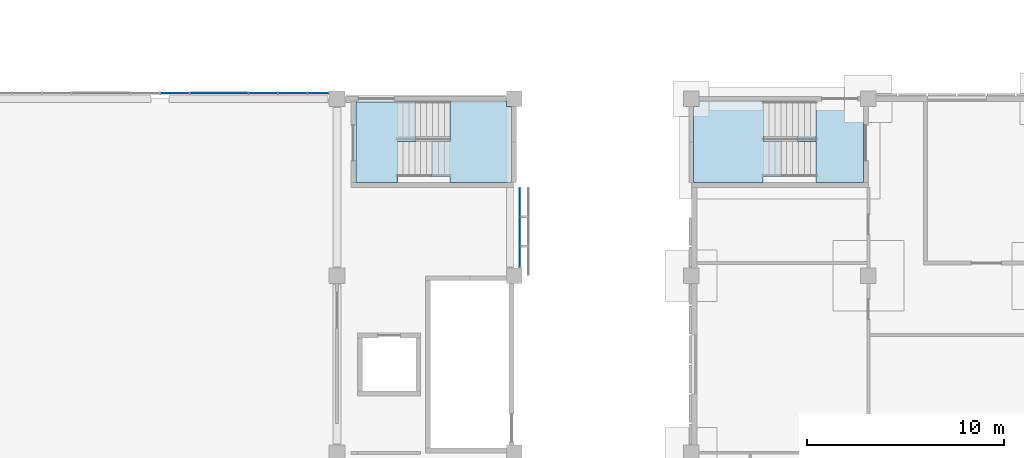
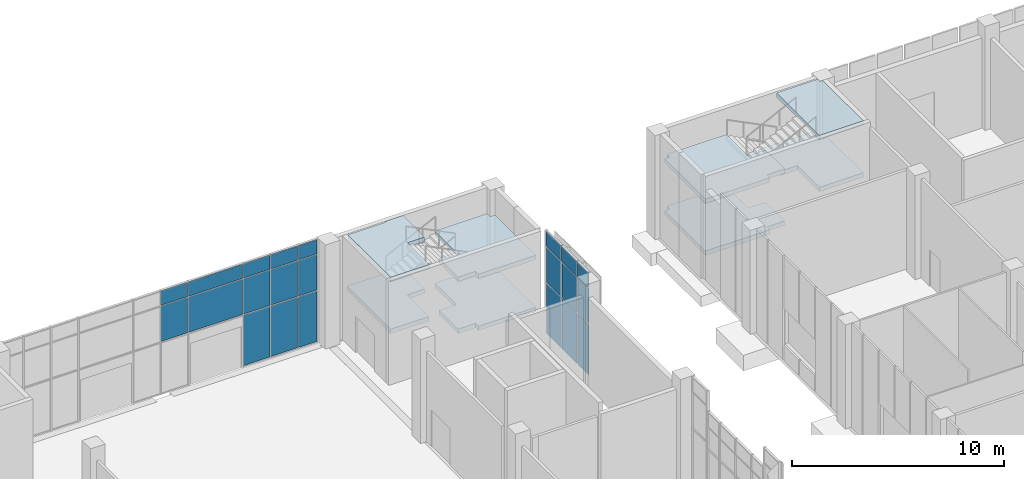
# One storey, part 44 of 86: 22 plates, 8 slabs, 4 elements without a shape of their own.
"""IFC4 building model written with IfcOpenShell, lengths in metres."""

from ifc_helpers import new_model, si_unit, direction, frame, origin, origin_2d, place, context, subcontext, project, spatial, polyline, rectangle, outline, extrude, material, layer, layer_set, type_object, element, aggregate, save


model = new_model("IFC4")

# Units and contexts
model_context = context("Model", 3, precision=1e-05, world=origin(), true_north=direction((0.0, 1.0)))
body_context = subcontext(model_context, "Body", "Model", "MODEL_VIEW")
ifc_project = project(units=[si_unit("LENGTHUNIT", "METRE"), si_unit("AREAUNIT", "SQUARE_METRE"), si_unit("VOLUMEUNIT", "CUBIC_METRE"), si_unit("PLANEANGLEUNIT", "RADIAN"), si_unit("MASSUNIT", "GRAM", prefix="KILO")], contexts=[model_context])

# Site, building, storey
site_placement = place(None, origin())
site = spatial("IfcSite", under=ifc_project, at=site_placement, CompositionType="ELEMENT")
building_placement = place(site_placement, origin())
building = spatial("IfcBuilding", under=site, at=building_placement, Name="Guidao Yard Department Store", CompositionType="ELEMENT")
storey_placement = place(building_placement, origin())
storey = spatial("IfcBuildingStorey", under=building, at=storey_placement, Name="L00", CompositionType="ELEMENT", Elevation=0.0)

# Curtain wall, plates
ifc_material_1 = material(Name="Aluminium and glass", Category="aluminium")
ifc_layer_1 = layer(ifc_material_1, 0.159912109375)
ifc_layer_set_1 = layer_set([ifc_layer_1], Name="Shopfront curtain wall CW1 1500 module")
curtain_wall_type = type_object("IfcCurtainWallType", Name="Shopfront curtain wall CW1 1500 module", PredefinedType="NOTDEFINED", material=ifc_layer_set_1)
curtain_wall_1_placement = place(storey_placement, origin())
curtain_wall_1 = element("IfcCurtainWall", 1, at=curtain_wall_1_placement, inside=storey, type_object=curtain_wall_type, Name="Arcade shop front", PredefinedType="NOTDEFINED")
ifc_material_2 = material(Name="Aluminium 6063-T5 faced insulated spandrel", Category="aluminium")
ifc_layer_2 = layer(ifc_material_2, 0.06005859375)
ifc_layer_set_2 = layer_set([ifc_layer_2], Name="Spandrel panel SP1 insulated opaque")
plate_type_1 = type_object("IfcPlateType", Name="Spandrel panel SP1 insulated opaque", PredefinedType="CURTAIN_PANEL", material=ifc_layer_set_2)
plate_1_placement = place(storey_placement, frame((108.280029296875, 99.965087890625, 5.1298828125), z_axis=(0.0, 0.0, 1.0), x_axis=(0.0, -1.0, 0.0)))
plate_1 = element("IfcPlate", 2, at=plate_1_placement, type_object=plate_type_1, Name="CW-AS-L00-20 panel 1.3", PredefinedType="CURTAIN_PANEL", context=body_context, shape_type="SweptSolid", body=[
    extrude(rectangle(XDim=1.010009765625, YDim=0.06005859375, at=origin_2d()), origin(), (0.0, 0.0, 1.0), 0.81005859375),
])
plate_2_placement = place(storey_placement, frame((108.280029296875, 101.25, 5.1298828125), z_axis=(0.0, 0.0, 1.0), x_axis=(0.0, -1.0, 0.0)))
plate_2 = element("IfcPlate", 3, at=plate_2_placement, type_object=plate_type_1, Name="CW-AS-L00-20 panel 2.3", PredefinedType="CURTAIN_PANEL", context=body_context, shape_type="SweptSolid", body=[
    extrude(rectangle(XDim=1.43994140625, YDim=0.06005859375, at=origin_2d()), origin(), (0.0, 0.0, 1.0), 0.81005859375),
])
plate_3_placement = place(storey_placement, frame((108.280029296875, 102.735107421875, 5.1298828125), z_axis=(0.0, 0.0, 1.0), x_axis=(0.0, -1.0, 0.0)))
plate_3 = element("IfcPlate", 4, at=plate_3_placement, type_object=plate_type_1, Name="CW-AS-L00-20 panel 3.3", PredefinedType="CURTAIN_PANEL", context=body_context, shape_type="SweptSolid", body=[
    extrude(rectangle(XDim=1.409912109375, YDim=0.06005859375, at=origin_2d()), origin(), (0.0, 0.0, 1.0), 0.81005859375),
])

curtain_wall_2_placement = place(storey_placement, origin())
curtain_wall_2 = element("IfcCurtainWall", 5, at=curtain_wall_2_placement, inside=storey, type_object=curtain_wall_type, Name="Arcade gable glazing", PredefinedType="NOTDEFINED")
plate_4_placement = place(storey_placement, frame((90.75, 108.280029296875, 5.1298828125), z_axis=(0.0, 0.0, 1.0), x_axis=(1.0, 0.0, 0.0)))
plate_4 = element("IfcPlate", 6, at=plate_4_placement, type_object=plate_type_1, Name="CW-AG-L00-01 panel 6.3", PredefinedType="CURTAIN_PANEL", context=body_context, shape_type="SweptSolid", body=[
    extrude(rectangle(XDim=1.43994140625, YDim=0.06005859375, at=origin_2d()), origin(), (0.0, 0.0, 1.0), 0.81005859375),
])
plate_5_placement = place(storey_placement, frame((93.0, 108.280029296875, 5.1298828125), z_axis=(0.0, 0.0, 1.0), x_axis=(1.0, 0.0, 0.0)))
plate_5 = element("IfcPlate", 7, at=plate_5_placement, type_object=plate_type_1, Name="CW-AG-L00-01 panel 7.3", PredefinedType="CURTAIN_PANEL", context=body_context, shape_type="SweptSolid", body=[
    extrude(rectangle(XDim=2.93994140625, YDim=0.06005859375, at=origin_2d()), origin(), (0.0, 0.0, 1.0), 0.81005859375),
])
plate_6_placement = place(storey_placement, frame((95.25, 108.280029296875, 5.1298828125), z_axis=(0.0, 0.0, 1.0), x_axis=(1.0, 0.0, 0.0)))
plate_6 = element("IfcPlate", 8, at=plate_6_placement, type_object=plate_type_1, Name="CW-AG-L00-01 panel 8.3", PredefinedType="CURTAIN_PANEL", context=body_context, shape_type="SweptSolid", body=[
    extrude(rectangle(XDim=1.43994140625, YDim=0.06005859375, at=origin_2d()), origin(), (0.0, 0.0, 1.0), 0.81005859375),
])
plate_7_placement = place(storey_placement, frame((96.75, 108.280029296875, 5.1298828125), z_axis=(0.0, 0.0, 1.0), x_axis=(1.0, 0.0, 0.0)))
plate_7 = element("IfcPlate", 9, at=plate_7_placement, type_object=plate_type_1, Name="CW-AG-L00-01 panel 9.3", PredefinedType="CURTAIN_PANEL", context=body_context, shape_type="SweptSolid", body=[
    extrude(rectangle(XDim=1.43994140625, YDim=0.06005859375, at=origin_2d()), origin(), (0.0, 0.0, 1.0), 0.81005859375),
])
plate_8_placement = place(storey_placement, frame((98.034912109375, 108.280029296875, 5.1298828125), z_axis=(0.0, 0.0, 1.0), x_axis=(1.0, 0.0, 0.0)))
plate_8 = element("IfcPlate", 10, at=plate_8_placement, type_object=plate_type_1, Name="CW-AG-L00-01 panel 10.3", PredefinedType="CURTAIN_PANEL", context=body_context, shape_type="SweptSolid", body=[
    extrude(rectangle(XDim=1.010009765625, YDim=0.06005859375, at=origin_2d()), origin(), (0.0, 0.0, 1.0), 0.81005859375),
])

# Stair, slabs
ifc_material_3 = material(Name="Concrete C35", Category="concrete")
stair_type = type_object("IfcStairType", Name="Stair double-return four-flight 1800 wide 6.0 m rise", PredefinedType="DOUBLE_RETURN_STAIR", material=ifc_material_3)
stair_1_placement = place(storey_placement, origin())
stair_1 = element("IfcStair", 11, at=stair_1_placement, inside=storey, type_object=stair_type, Name="Stair F3 L00 to L01", PredefinedType="DOUBLE_RETURN_STAIR")
ifc_material_4 = material(Name="Concrete C35", Category="concrete")
ifc_layer_3 = layer(ifc_material_4, 0.25)
ifc_layer_set_3 = layer_set([ifc_layer_3], Name="Stair landing RC 250 C35")
slab_type = type_object("IfcSlabType", Name="Stair landing RC 250 C35", PredefinedType="LANDING", material=ifc_layer_set_3)
slab_1_placement = place(storey_placement, frame((0.0, 0.0, 1.25)))
slab_1 = element("IfcSlab", 12, at=slab_1_placement, type_object=slab_type, Name="SF3-L00 landing 1", PredefinedType="LANDING", context=body_context, shape_type="SweptSolid", body=[
    extrude(outline(polyline([(120.64990234375, 104.02490234375), (120.64990234375, 103.75), (117.125, 103.75), (117.125, 107.60009765625), (117.39990234375, 107.60009765625), (117.39990234375, 107.875), (120.64990234375, 107.875), (120.659912109375, 107.875), (120.659912109375, 105.824951171875), (121.610107421875, 105.824951171875), (121.610107421875, 104.02490234375), (120.64990234375, 104.02490234375)])), origin(), (0.0, 0.0, 1.0), 0.25),
])
slab_2_placement = place(storey_placement, frame((0.0, 0.0, 2.75)))
slab_2 = element("IfcSlab", 13, at=slab_2_placement, type_object=slab_type, Name="SF3-L00 landing 2", PredefinedType="LANDING", context=body_context, shape_type="SweptSolid", body=[
    extrude(outline(polyline([(122.389892578125, 105.824951171875), (122.389892578125, 107.875), (123.35009765625, 107.875), (125.60009765625, 107.875), (125.60009765625, 107.60009765625), (125.75, 107.60009765625), (125.75, 103.75), (123.35009765625, 103.75), (123.35009765625, 104.02490234375), (123.340087890625, 104.02490234375), (123.340087890625, 105.824951171875), (122.389892578125, 105.824951171875)])), origin(), (0.0, 0.0, 1.0), 0.25),
])
slab_3_placement = place(storey_placement, frame((0.0, 0.0, 4.25)))
slab_3 = element("IfcSlab", 14, at=slab_3_placement, type_object=slab_type, Name="SF3-L00 landing 3", PredefinedType="LANDING", context=body_context, shape_type="SweptSolid", body=[
    extrude(outline(polyline([(120.64990234375, 104.02490234375), (120.64990234375, 103.75), (117.125, 103.75), (117.125, 107.60009765625), (117.39990234375, 107.60009765625), (117.39990234375, 107.875), (120.64990234375, 107.875), (120.659912109375, 107.875), (120.659912109375, 105.824951171875), (121.610107421875, 105.824951171875), (121.610107421875, 104.02490234375), (120.64990234375, 104.02490234375)])), origin(), (0.0, 0.0, 1.0), 0.25),
])
slab_4_placement = place(storey_placement, frame((0.0, 0.0, 5.75)))
slab_4 = element("IfcSlab", 15, at=slab_4_placement, type_object=slab_type, Name="SF3-L00 landing 4", PredefinedType="LANDING", context=body_context, shape_type="SweptSolid", body=[
    extrude(outline(polyline([(123.340087890625, 105.824951171875), (123.35009765625, 105.824951171875), (123.35009765625, 107.800048828125), (125.60009765625, 107.800048828125), (125.60009765625, 107.60009765625), (125.75, 107.60009765625), (125.75, 105.824951171875), (125.75, 103.75), (123.340087890625, 103.75), (123.340087890625, 105.824951171875)])), origin(), (0.0, 0.0, 1.0), 0.25),
])
aggregate(stair_1, [slab_1, slab_2, slab_3, slab_4])

stair_2_placement = place(storey_placement, origin())
stair_2 = element("IfcStair", 16, at=stair_2_placement, inside=storey, type_object=stair_type, Name="Stair G4 L00 to L01", PredefinedType="DOUBLE_RETURN_STAIR")
slab_5_placement = place(storey_placement, frame((0.0, 0.0, 1.25)))
slab_5 = element("IfcSlab", 17, at=slab_5_placement, type_object=slab_type, Name="SG4-L00 landing 1", PredefinedType="LANDING", context=body_context, shape_type="SweptSolid", body=[
    extrude(outline(polyline([(103.7900390625, 105.824951171875), (104.739990234375, 105.824951171875), (104.739990234375, 107.875), (104.75, 107.875), (107.60009765625, 107.875), (107.60009765625, 107.60009765625), (107.875, 107.60009765625), (107.875, 103.75), (104.75, 103.75), (104.75, 104.02490234375), (103.7900390625, 104.02490234375), (103.7900390625, 105.824951171875)])), origin(), (0.0, 0.0, 1.0), 0.25),
])
slab_6_placement = place(storey_placement, frame((0.0, 0.0, 2.75)))
slab_6 = element("IfcSlab", 18, at=slab_6_placement, type_object=slab_type, Name="SG4-L00 landing 2", PredefinedType="LANDING", context=body_context, shape_type="SweptSolid", body=[
    extrude(outline(polyline([(102.050048828125, 104.02490234375), (102.050048828125, 103.75), (99.949951171875, 103.75), (99.949951171875, 107.875), (102.050048828125, 107.875), (103.010009765625, 107.875), (103.010009765625, 105.824951171875), (102.06005859375, 105.824951171875), (102.06005859375, 104.02490234375), (102.050048828125, 104.02490234375)])), origin(), (0.0, 0.0, 1.0), 0.25),
])
slab_7_placement = place(storey_placement, frame((0.0, 0.0, 4.25)))
slab_7 = element("IfcSlab", 19, at=slab_7_placement, type_object=slab_type, Name="SG4-L00 landing 3", PredefinedType="LANDING", context=body_context, shape_type="SweptSolid", body=[
    extrude(outline(polyline([(103.7900390625, 105.824951171875), (104.739990234375, 105.824951171875), (104.739990234375, 107.875), (104.75, 107.875), (107.60009765625, 107.875), (107.60009765625, 107.60009765625), (107.875, 107.60009765625), (107.875, 103.75), (104.75, 103.75), (104.75, 104.02490234375), (103.7900390625, 104.02490234375), (103.7900390625, 105.824951171875)])), origin(), (0.0, 0.0, 1.0), 0.25),
])
slab_8_placement = place(storey_placement, frame((0.0, 0.0, 5.75)))
slab_8 = element("IfcSlab", 20, at=slab_8_placement, type_object=slab_type, Name="SG4-L00 landing 4", PredefinedType="LANDING", context=body_context, shape_type="SweptSolid", body=[
    extrude(outline(polyline([(99.949951171875, 103.75), (99.949951171875, 105.824951171875), (99.949951171875, 107.800048828125), (102.050048828125, 107.800048828125), (102.050048828125, 107.875), (103.010009765625, 107.875), (103.010009765625, 105.824951171875), (102.06005859375, 105.824951171875), (102.06005859375, 103.75), (99.949951171875, 103.75)])), origin(), (0.0, 0.0, 1.0), 0.25),
])
aggregate(stair_2, [slab_5, slab_6, slab_7, slab_8])

# Plate
ifc_material_5 = material(Name="Laminated heat-soaked tempered glass", Category="glass")
ifc_layer_4 = layer(ifc_material_5, 0.017578125)
ifc_layer_set_4 = layer_set([ifc_layer_4], Name="Vision glass VG1 laminated heat-soaked tempered 8+8")
plate_type_2 = type_object("IfcPlateType", Name="Vision glass VG1 laminated heat-soaked tempered 8+8", PredefinedType="CURTAIN_PANEL", material=ifc_layer_set_4)
plate_9_placement = place(storey_placement, frame((108.280029296875, 99.965087890625, 0.06005859375), z_axis=(0.0, 0.0, 1.0), x_axis=(0.0, -1.0, 0.0)))
plate_9 = element("IfcPlate", 21, at=plate_9_placement, type_object=plate_type_2, Name="CW-AS-L00-20 panel 1.1", PredefinedType="CURTAIN_PANEL", context=body_context, shape_type="SweptSolid", body=[
    extrude(rectangle(XDim=1.010009765625, YDim=0.017578125, at=origin_2d()), origin(), (0.0, 0.0, 1.0), 2.909912109375),
])

plate_10_placement = place(storey_placement, frame((108.280029296875, 99.965087890625, 3.030029296875), z_axis=(0.0, 0.0, 1.0), x_axis=(0.0, -1.0, 0.0)))
plate_10 = element("IfcPlate", 22, at=plate_10_placement, type_object=plate_type_2, Name="CW-AS-L00-20 panel 1.2", PredefinedType="CURTAIN_PANEL", context=body_context, shape_type="SweptSolid", body=[
    extrude(rectangle(XDim=1.010009765625, YDim=0.017578125, at=origin_2d()), origin(), (0.0, 0.0, 1.0), 2.0400390625),
])

plate_11_placement = place(storey_placement, frame((108.280029296875, 101.25, 0.06005859375), z_axis=(0.0, 0.0, 1.0), x_axis=(0.0, -1.0, 0.0)))
plate_11 = element("IfcPlate", 23, at=plate_11_placement, type_object=plate_type_2, Name="CW-AS-L00-20 panel 2.1", PredefinedType="CURTAIN_PANEL", context=body_context, shape_type="SweptSolid", body=[
    extrude(rectangle(XDim=1.43994140625, YDim=0.017578125, at=origin_2d()), origin(), (0.0, 0.0, 1.0), 2.909912109375),
])

plate_12_placement = place(storey_placement, frame((108.280029296875, 101.25, 3.030029296875), z_axis=(0.0, 0.0, 1.0), x_axis=(0.0, -1.0, 0.0)))
plate_12 = element("IfcPlate", 24, at=plate_12_placement, type_object=plate_type_2, Name="CW-AS-L00-20 panel 2.2", PredefinedType="CURTAIN_PANEL", context=body_context, shape_type="SweptSolid", body=[
    extrude(rectangle(XDim=1.43994140625, YDim=0.017578125, at=origin_2d()), origin(), (0.0, 0.0, 1.0), 2.0400390625),
])

plate_13_placement = place(storey_placement, frame((108.280029296875, 102.735107421875, 0.06005859375), z_axis=(0.0, 0.0, 1.0), x_axis=(0.0, -1.0, 0.0)))
plate_13 = element("IfcPlate", 25, at=plate_13_placement, type_object=plate_type_2, Name="CW-AS-L00-20 panel 3.1", PredefinedType="CURTAIN_PANEL", context=body_context, shape_type="SweptSolid", body=[
    extrude(rectangle(XDim=1.409912109375, YDim=0.017578125, at=origin_2d()), origin(), (0.0, 0.0, 1.0), 2.909912109375),
])

plate_14_placement = place(storey_placement, frame((108.280029296875, 102.735107421875, 3.030029296875), z_axis=(0.0, 0.0, 1.0), x_axis=(0.0, -1.0, 0.0)))
plate_14 = element("IfcPlate", 26, at=plate_14_placement, type_object=plate_type_2, Name="CW-AS-L00-20 panel 3.2", PredefinedType="CURTAIN_PANEL", context=body_context, shape_type="SweptSolid", body=[
    extrude(rectangle(XDim=1.409912109375, YDim=0.017578125, at=origin_2d()), origin(), (0.0, 0.0, 1.0), 2.0400390625),
])

aggregate(curtain_wall_1, [plate_9, plate_10, plate_1, plate_11, plate_12, plate_2, plate_13, plate_14, plate_3])

plate_15_placement = place(storey_placement, frame((90.75, 108.280029296875, 3.030029296875), z_axis=(0.0, 0.0, 1.0), x_axis=(1.0, 0.0, 0.0)))
plate_15 = element("IfcPlate", 27, at=plate_15_placement, type_object=plate_type_2, Name="CW-AG-L00-01 panel 6.2", PredefinedType="CURTAIN_PANEL", context=body_context, shape_type="SweptSolid", body=[
    extrude(rectangle(XDim=1.43994140625, YDim=0.017578125, at=origin_2d()), origin(), (0.0, 0.0, 1.0), 2.0400390625),
])

plate_16_placement = place(storey_placement, frame((93.0, 108.280029296875, 3.030029296875), z_axis=(0.0, 0.0, 1.0), x_axis=(1.0, 0.0, 0.0)))
plate_16 = element("IfcPlate", 28, at=plate_16_placement, type_object=plate_type_2, Name="CW-AG-L00-01 panel 7.2", PredefinedType="CURTAIN_PANEL", context=body_context, shape_type="SweptSolid", body=[
    extrude(rectangle(XDim=2.93994140625, YDim=0.017578125, at=origin_2d()), origin(), (0.0, 0.0, 1.0), 2.0400390625),
])

plate_17_placement = place(storey_placement, frame((95.25, 108.280029296875, 0.06005859375), z_axis=(0.0, 0.0, 1.0), x_axis=(1.0, 0.0, 0.0)))
plate_17 = element("IfcPlate", 29, at=plate_17_placement, type_object=plate_type_2, Name="CW-AG-L00-01 panel 8.1", PredefinedType="CURTAIN_PANEL", context=body_context, shape_type="SweptSolid", body=[
    extrude(rectangle(XDim=1.43994140625, YDim=0.017578125, at=origin_2d()), origin(), (0.0, 0.0, 1.0), 2.909912109375),
])

plate_18_placement = place(storey_placement, frame((95.25, 108.280029296875, 3.030029296875), z_axis=(0.0, 0.0, 1.0), x_axis=(1.0, 0.0, 0.0)))
plate_18 = element("IfcPlate", 30, at=plate_18_placement, type_object=plate_type_2, Name="CW-AG-L00-01 panel 8.2", PredefinedType="CURTAIN_PANEL", context=body_context, shape_type="SweptSolid", body=[
    extrude(rectangle(XDim=1.43994140625, YDim=0.017578125, at=origin_2d()), origin(), (0.0, 0.0, 1.0), 2.0400390625),
])

plate_19_placement = place(storey_placement, frame((96.75, 108.280029296875, 0.06005859375), z_axis=(0.0, 0.0, 1.0), x_axis=(1.0, 0.0, 0.0)))
plate_19 = element("IfcPlate", 31, at=plate_19_placement, type_object=plate_type_2, Name="CW-AG-L00-01 panel 9.1", PredefinedType="CURTAIN_PANEL", context=body_context, shape_type="SweptSolid", body=[
    extrude(rectangle(XDim=1.43994140625, YDim=0.017578125, at=origin_2d()), origin(), (0.0, 0.0, 1.0), 2.909912109375),
])

plate_20_placement = place(storey_placement, frame((96.75, 108.280029296875, 3.030029296875), z_axis=(0.0, 0.0, 1.0), x_axis=(1.0, 0.0, 0.0)))
plate_20 = element("IfcPlate", 32, at=plate_20_placement, type_object=plate_type_2, Name="CW-AG-L00-01 panel 9.2", PredefinedType="CURTAIN_PANEL", context=body_context, shape_type="SweptSolid", body=[
    extrude(rectangle(XDim=1.43994140625, YDim=0.017578125, at=origin_2d()), origin(), (0.0, 0.0, 1.0), 2.0400390625),
])

plate_21_placement = place(storey_placement, frame((98.034912109375, 108.280029296875, 0.06005859375), z_axis=(0.0, 0.0, 1.0), x_axis=(1.0, 0.0, 0.0)))
plate_21 = element("IfcPlate", 33, at=plate_21_placement, type_object=plate_type_2, Name="CW-AG-L00-01 panel 10.1", PredefinedType="CURTAIN_PANEL", context=body_context, shape_type="SweptSolid", body=[
    extrude(rectangle(XDim=1.010009765625, YDim=0.017578125, at=origin_2d()), origin(), (0.0, 0.0, 1.0), 2.909912109375),
])

plate_22_placement = place(storey_placement, frame((98.034912109375, 108.280029296875, 3.030029296875), z_axis=(0.0, 0.0, 1.0), x_axis=(1.0, 0.0, 0.0)))
plate_22 = element("IfcPlate", 34, at=plate_22_placement, type_object=plate_type_2, Name="CW-AG-L00-01 panel 10.2", PredefinedType="CURTAIN_PANEL", context=body_context, shape_type="SweptSolid", body=[
    extrude(rectangle(XDim=1.010009765625, YDim=0.017578125, at=origin_2d()), origin(), (0.0, 0.0, 1.0), 2.0400390625),
])

aggregate(curtain_wall_2, [plate_15, plate_4, plate_16, plate_5, plate_17, plate_18, plate_6, plate_19, plate_20, plate_7, plate_21, plate_22, plate_8])

save(model, "model.ifc")
